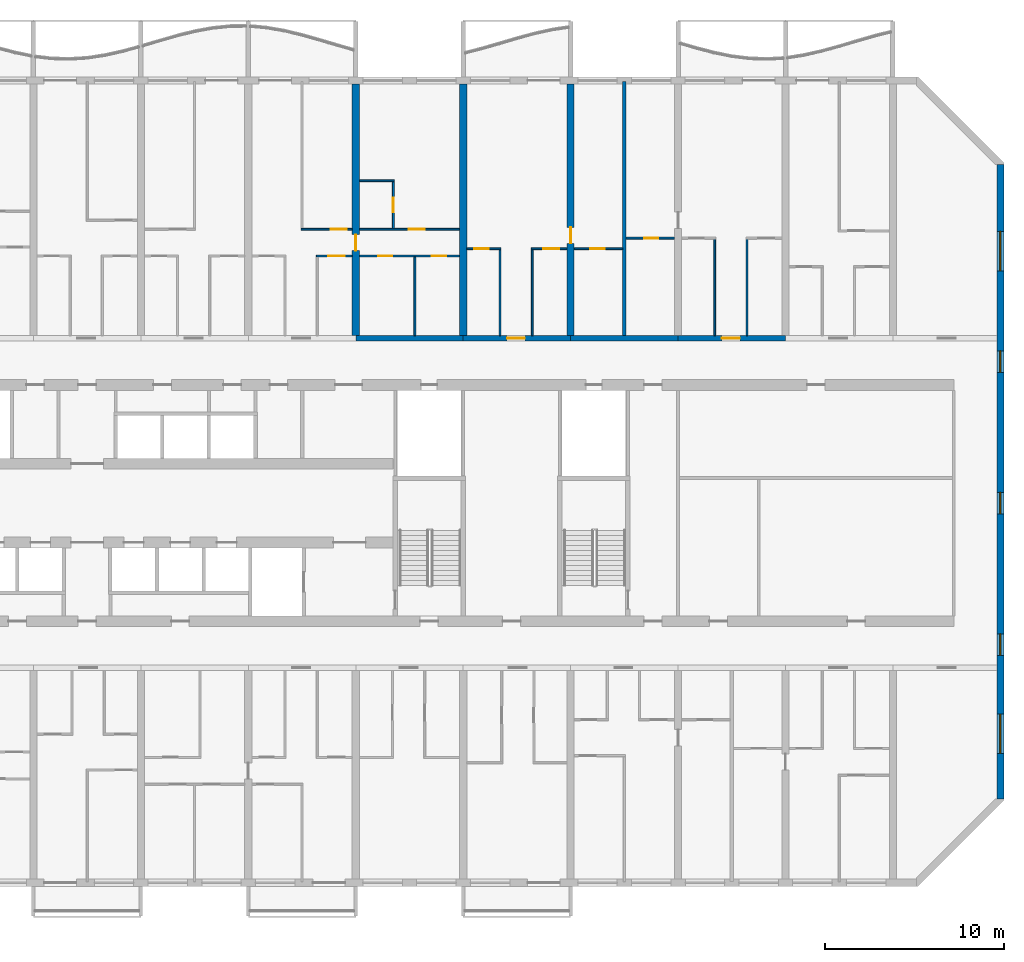
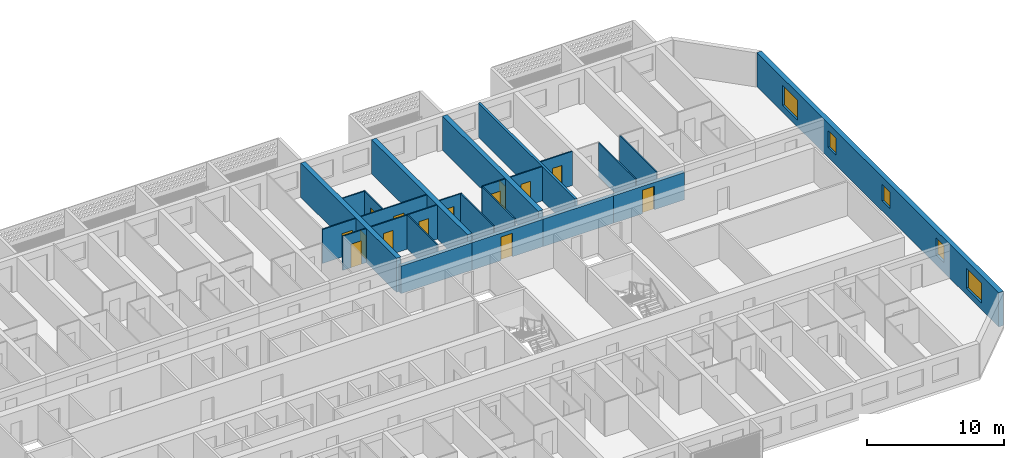
# One storey, part 18 of 44: 24 walls, 14 doors, 5 windows, 19 openings.
"""IFC4 building model written with IfcOpenShell, lengths in metres."""

import ifcopenshell
import ifcopenshell.guid

model = None  # the IFC model being written
_history = None  # IfcOwnerHistory: only IFC2X3 demands one
_inside = {}  # id of a spatial element -> (the spatial element, [elements in it])
_under = {}  # id of a project, library or spatial element -> (it, [spatial elements below it])
_declared = {}  # id of a project -> (the project, [libraries it declares])
_typed = {}  # id of a type object -> (the type object, [elements of that type])
_made_of = {}  # id of a material, layer set ... -> (it, [elements and type objects made of it])


def new_model(schema):
    """Start an empty IFC model of exactly this schema.

    Asked for "IFC4X3", IfcOpenShell would pick the latest addendum, in which some entities
    have other attributes; the version numbers below select the first issue.
    IFC2X3 requires an IfcOwnerHistory on every rooted entity: one is made here for all.
    """
    global model, _history
    if schema == "IFC4X3":
        model = ifcopenshell.file(schema_version=(4, 3, 0, 0))
    else:
        model = ifcopenshell.file(schema=schema)
    _inside.clear()
    _under.clear()
    _declared.clear()
    _typed.clear()
    _made_of.clear()
    _history = None
    if model.schema == "IFC2X3":
        org = make("IfcOrganization", Name="unknown")
        user = make(
            "IfcPersonAndOrganization",
            ThePerson=make("IfcPerson", FamilyName="unknown"),
            TheOrganization=org,
        )
        app = make(
            "IfcApplication",
            ApplicationDeveloper=org,
            Version="unknown",
            ApplicationFullName="unknown",
            ApplicationIdentifier="unknown",
        )
        _history = make(
            "IfcOwnerHistory",
            OwningUser=user,
            OwningApplication=app,
            ChangeAction="ADDED",
            CreationDate=0,
        )
    return model


def make(cls, **values):
    """One entity of the class cls with the attributes given. An attribute that is None is left unset."""
    return model.create_entity(
        cls, **{name: value for name, value in values.items() if value is not None}
    )


def rooted(cls, **values):
    """An entity with a GlobalId (a new one), such as an element, a storey or a relation."""
    return make(cls, GlobalId=ifcopenshell.guid.new(), OwnerHistory=_history, **values)


def si_unit(unit_type, name, prefix=None):
    """IfcSIUnit, for example si_unit("LENGTHUNIT", "METRE", prefix="MILLI")."""
    return make("IfcSIUnit", UnitType=unit_type, Prefix=prefix, Name=name)


def assignment(units):
    """IfcUnitAssignment: the units of a project."""
    return None if units is None else make("IfcUnitAssignment", Units=units)


def point(xyz):
    """IfcCartesianPoint."""
    return None if xyz is None else make("IfcCartesianPoint", Coordinates=xyz)


def direction(xyz):
    """IfcDirection."""
    return None if xyz is None else make("IfcDirection", DirectionRatios=xyz)


def frame(location, z_axis=None, x_axis=None):
    """IfcAxis2Placement3D, a coordinate frame: its origin and axes. An axis left out is left unset."""
    return make(
        "IfcAxis2Placement3D",
        Location=point(location),
        Axis=direction(z_axis),
        RefDirection=direction(x_axis),
    )


def frame_2d(location, x_axis=None):
    """IfcAxis2Placement2D, a coordinate frame in the plane: its origin and x axis."""
    return make(
        "IfcAxis2Placement2D", Location=point(location), RefDirection=direction(x_axis)
    )


def origin():
    """The frame at (0, 0, 0) with its axes left unset."""
    return frame((0.0, 0.0, 0.0))


def place(relative_to, where):
    """IfcLocalPlacement: puts the frame where relative to a parent placement (None: the world)."""
    return make(
        "IfcLocalPlacement", PlacementRelTo=relative_to, RelativePlacement=where
    )


def context(
    kind, dimensions, precision=None, world=None, true_north=None, identifier=None
):
    """IfcGeometricRepresentationContext, for example the 3D "Model" context."""
    return make(
        "IfcGeometricRepresentationContext",
        ContextIdentifier=identifier,
        ContextType=kind,
        CoordinateSpaceDimension=dimensions,
        Precision=precision,
        WorldCoordinateSystem=world,
        TrueNorth=true_north,
    )


def subcontext(parent, identifier, kind, view, scale=None):
    """IfcGeometricRepresentationSubContext, for example "Body" below "Model"."""
    return make(
        "IfcGeometricRepresentationSubContext",
        ContextIdentifier=identifier,
        ContextType=kind,
        ParentContext=parent,
        TargetScale=scale,
        TargetView=view,
    )


def project(units=None, contexts=None):
    """IfcProject with its units and contexts."""
    return rooted(
        "IfcProject",
        Name="project",
        RepresentationContexts=contexts,
        UnitsInContext=assignment(units),
    )


def spatial(cls, under=None, at=None, **own):
    """A site, building, storey or space (cls), placed at a placement, below another one or the project."""
    s = rooted(cls, ObjectPlacement=at, **own)
    if under is not None:
        _under.setdefault(under.id(), (under, []))[1].append(s)
    return s


def profile(cls, at=None, kind="AREA", **sizes):
    """A parametric profile (cls). Its sizes go by their IFC names, for example OverallWidth=200.0."""
    return make(cls, ProfileType=kind, Position=at, **sizes)


def rectangle(**sizes):
    """IfcRectangleProfileDef."""
    return profile("IfcRectangleProfileDef", **sizes)


def extrude(swept, where, along, depth):
    """IfcExtrudedAreaSolid: the profile swept, set in the frame where, extruded along a direction by depth."""
    return make(
        "IfcExtrudedAreaSolid",
        SweptArea=swept,
        Position=where,
        ExtrudedDirection=direction(along),
        Depth=depth,
    )


def shape(context_of_items, identifier, shape_type, items):
    """IfcShapeRepresentation: the items that make up one representation, for example the "Body"."""
    return make(
        "IfcShapeRepresentation",
        ContextOfItems=context_of_items,
        RepresentationIdentifier=identifier,
        RepresentationType=shape_type,
        Items=items,
    )


def material(Name=None, Category=None):
    """IfcMaterial."""
    return make("IfcMaterial", Name=Name, Category=Category)


def layer(
    of_material, thickness, ventilated=None, Name=None, Category=None, Priority=None
):
    """IfcMaterialLayer: one layer of a wall or slab, of a material (None: an air gap)."""
    return make(
        "IfcMaterialLayer",
        Material=of_material,
        LayerThickness=thickness,
        IsVentilated=ventilated,
        Name=Name,
        Category=Category,
        Priority=Priority,
    )


def layer_set(layers, Name=None):
    """IfcMaterialLayerSet."""
    return make("IfcMaterialLayerSet", MaterialLayers=layers, LayerSetName=Name)


def made_of(thing, what):
    """Note that an element or type object is made of a material, layer set ...; save() writes the relation."""
    if what is not None:
        _made_of.setdefault(what.id(), (what, []))[1].append(thing)
    return thing


def type_object(cls, material=None, **own):
    """A type object (cls), such as IfcWallType, which elements share."""
    return made_of(rooted(cls, **own), material)


def element(
    cls,
    number,
    at=None,
    inside=None,
    cuts=None,
    type_object=None,
    material=None,
    context=None,
    identifier="Body",
    shape_type=None,
    held_by="IfcProductDefinitionShape",
    body=None,
    shapes=None,
    **own,
):
    """One element of the class cls, such as IfcWall. Its Tag is "e" and its number.

    at: its placement. inside: the storey or other place that contains it. cuts: it is an
    opening in that element (IfcRelVoidsElement). A single representation is given by context,
    identifier, shape_type and body (its items); several are given by shapes. held_by: the class
    of the entity that holds the representations. save() writes the other relations.
    """
    e = rooted(cls, Tag="e%d" % number, ObjectPlacement=at, **own)
    if body is not None:
        shapes = [shape(context, identifier, shape_type, body)]
    if shapes is not None:
        e.Representation = make(held_by, Representations=shapes)
    if inside is not None:
        _inside.setdefault(inside.id(), (inside, []))[1].append(e)
    if cuts is not None:
        rooted(
            "IfcRelVoidsElement", RelatingBuildingElement=cuts, RelatedOpeningElement=e
        )
    if type_object is not None:
        _typed.setdefault(type_object.id(), (type_object, []))[1].append(e)
    return made_of(e, material)


def fill(opening, filler):
    """IfcRelFillsElement: the door or window that sits in an opening."""
    return rooted(
        "IfcRelFillsElement",
        RelatingOpeningElement=opening,
        RelatedBuildingElement=filler,
    )


def aggregate(whole, parts):
    """IfcRelAggregates: a whole, such as a stair, and the parts it consists of."""
    return rooted("IfcRelAggregates", RelatingObject=whole, RelatedObjects=parts)


def save(model, path):
    """Write the relations noted so far, then the file.

    IfcRelAggregates (storeys below a building ...), IfcRelContainedInSpatialStructure (elements
    in a storey), IfcRelDefinesByType, IfcRelAssociatesMaterial and IfcRelDeclares: one each for
    every whole, place, type object, material and project.
    """
    for whole, parts in _under.values():
        aggregate(whole, parts)
    for where, things in _inside.values():
        rooted(
            "IfcRelContainedInSpatialStructure",
            RelatedElements=things,
            RelatingStructure=where,
        )
    for kind, things in _typed.values():
        rooted("IfcRelDefinesByType", RelatedObjects=things, RelatingType=kind)
    for what, things in _made_of.values():
        rooted("IfcRelAssociatesMaterial", RelatedObjects=things, RelatingMaterial=what)
    for by, libraries in _declared.values():
        rooted("IfcRelDeclares", RelatingContext=by, RelatedDefinitions=libraries)
    model.write(path)


model = new_model("IFC4")

# Units and contexts
model_context = context("Model", 3, precision=1e-05, world=origin(), true_north=direction((0.0, 1.0)))
body_context = subcontext(model_context, "Body", "Model", "MODEL_VIEW")
ifc_project = project(units=[si_unit("LENGTHUNIT", "METRE"), si_unit("AREAUNIT", "SQUARE_METRE"), si_unit("VOLUMEUNIT", "CUBIC_METRE"), si_unit("PLANEANGLEUNIT", "RADIAN"), si_unit("MASSUNIT", "GRAM", prefix="KILO")], contexts=[model_context])

# Site, building, storey
site_placement = place(None, origin())
site = spatial("IfcSite", under=ifc_project, at=site_placement, CompositionType="ELEMENT")
building_placement = place(site_placement, origin())
building = spatial("IfcBuilding", under=site, at=building_placement, Name="Poui Terraces", CompositionType="ELEMENT")
storey_placement = place(building_placement, frame((0.0, 0.0, 26.699951171875)))
storey = spatial("IfcBuildingStorey", under=building, at=storey_placement, Name="L06", CompositionType="ELEMENT", Elevation=26.699951171875)

# Wall
ifc_material_1 = material(Name="Concrete 80 MPa", Category="concrete")
ifc_layer_1 = layer(ifc_material_1, 0.300048828125)
ifc_layer_set_1 = layer_set([ifc_layer_1], Name="Concrete 80 MPa")
wall_type_1 = type_object("IfcWallType", Name="CORRIDOR WALL 300 80MPa", PredefinedType="SHEAR", material=ifc_layer_set_1)
wall_1_placement = place(storey_placement, frame((66.0, 30.39990234375, 0.0), z_axis=(0.0, 0.0, 1.0), x_axis=(1.0, 0.0, 0.0)))
element("IfcWall", 1, at=wall_1_placement, inside=storey, type_object=wall_type_1, Name="CORRIDOR WALL LINE E BAY 12", PredefinedType="SHEAR", context=body_context, shape_type="SweptSolid", body=[
    extrude(rectangle(XDim=6.0, YDim=0.300048828125, at=frame_2d((3.0, 0.0))), origin(), (0.0, 0.0, 1.0), 2.449951171875),
])

# Wall, opening, door
wall_2_placement = place(storey_placement, frame((72.0, 30.39990234375, 0.0), z_axis=(0.0, 0.0, 1.0), x_axis=(1.0, 0.0, 0.0)))
wall_2 = element("IfcWall", 2, at=wall_2_placement, inside=storey, type_object=wall_type_1, Name="CORRIDOR WALL LINE E BAY 13", PredefinedType="SHEAR", context=body_context, shape_type="SweptSolid", body=[
    extrude(rectangle(XDim=6.0, YDim=0.300048828125, at=frame_2d((3.0, 0.0))), origin(), (0.0, 0.0, 1.0), 2.449951171875),
])
opening_1_placement = place(wall_2_placement, frame((2.449951171875, 0.0, 0.0)))
opening_1 = element("IfcOpeningElement", 3, at=opening_1_placement, cuts=wall_2, Name="Opening FD30S", PredefinedType="OPENING", context=body_context, shape_type="SweptSolid", body=[
    extrude(rectangle(XDim=1.0, YDim=2.10009765625, at=frame_2d((0.5, 1.050048828125))), frame((0.0, 0.16015625, 0.0), z_axis=(0.0, -1.0, 0.0), x_axis=(1.0, 0.0, 0.0)), (0.0, 0.0, 1.0), 0.320068359375),
])
ifc_material_2 = material(Name="Steel fire door", Category="steel")
door_type_1 = type_object("IfcDoorType", Name="FLAT ENTRANCE DOOR 1000 X 2100", OperationType="NOTDEFINED", PredefinedType="DOOR", material=ifc_material_2)
door_1_placement = place(opening_1_placement, origin())
door_1 = element("IfcDoor", 4, at=door_1_placement, inside=storey, type_object=door_type_1, Name="FLAT ENTRANCE DOOR 078", OperationType="SINGLE_SWING_LEFT", OverallHeight=2.10009765625, OverallWidth=1.0, PredefinedType="DOOR", context=body_context, shape_type="SweptSolid", body=[
    extrude(rectangle(XDim=1.0, YDim=2.10009765625, at=frame_2d((0.5, 1.050048828125))), frame((0.0, 0.02490234375, 0.0), z_axis=(0.0, -1.0, 0.0), x_axis=(1.0, 0.0, 0.0)), (0.0, 0.0, 1.0), 0.050048828125),
])
fill(opening_1, door_1)

# Wall
wall_3_placement = place(storey_placement, frame((78.0, 30.39990234375, 0.0), z_axis=(0.0, 0.0, 1.0), x_axis=(1.0, 0.0, 0.0)))
element("IfcWall", 5, at=wall_3_placement, inside=storey, type_object=wall_type_1, Name="CORRIDOR WALL LINE E BAY 14", PredefinedType="SHEAR", context=body_context, shape_type="SweptSolid", body=[
    extrude(rectangle(XDim=6.0, YDim=0.300048828125, at=frame_2d((3.0, 0.0))), origin(), (0.0, 0.0, 1.0), 2.449951171875),
])

# Wall, opening, door
wall_4_placement = place(storey_placement, frame((84.0, 30.39990234375, 0.0), z_axis=(0.0, 0.0, 1.0), x_axis=(1.0, 0.0, 0.0)))
wall_4 = element("IfcWall", 6, at=wall_4_placement, inside=storey, type_object=wall_type_1, Name="CORRIDOR WALL LINE E BAY 15", PredefinedType="SHEAR", context=body_context, shape_type="SweptSolid", body=[
    extrude(rectangle(XDim=6.0, YDim=0.300048828125, at=frame_2d((3.0, 0.0))), origin(), (0.0, 0.0, 1.0), 2.449951171875),
])
opening_2_placement = place(wall_4_placement, frame((2.449951171875, 0.0, 0.0)))
opening_2 = element("IfcOpeningElement", 7, at=opening_2_placement, cuts=wall_4, Name="Opening FD30S", PredefinedType="OPENING", context=body_context, shape_type="SweptSolid", body=[
    extrude(rectangle(XDim=1.0, YDim=2.10009765625, at=frame_2d((0.5, 1.050048828125))), frame((0.0, 0.16015625, 0.0), z_axis=(0.0, -1.0, 0.0), x_axis=(1.0, 0.0, 0.0)), (0.0, 0.0, 1.0), 0.320068359375),
])
door_2_placement = place(opening_2_placement, origin())
door_2 = element("IfcDoor", 8, at=door_2_placement, inside=storey, type_object=door_type_1, Name="FLAT ENTRANCE DOOR 084", OperationType="SINGLE_SWING_LEFT", OverallHeight=2.10009765625, OverallWidth=1.0, PredefinedType="DOOR", context=body_context, shape_type="SweptSolid", body=[
    extrude(rectangle(XDim=1.0, YDim=2.10009765625, at=frame_2d((0.5, 1.050048828125))), frame((0.0, 0.02490234375, 0.0), z_axis=(0.0, -1.0, 0.0), x_axis=(1.0, 0.0, 0.0)), (0.0, 0.0, 1.0), 0.050048828125),
])
fill(opening_2, door_2)

ifc_layer_2 = layer(ifc_material_1, 0.39990234375)
ifc_layer_set_2 = layer_set([ifc_layer_2], Name="Concrete 80 MPa")
wall_type_2 = type_object("IfcWallType", Name="CROSS WALL 400 80MPa", PredefinedType="SHEAR", material=ifc_layer_set_2)
wall_5_placement = place(storey_placement, frame((66.0, 30.550048828125, 0.0), z_axis=(0.0, 0.0, 1.0), x_axis=(0.0, 1.0, 0.0)))
wall_5 = element("IfcWall", 9, at=wall_5_placement, inside=storey, type_object=wall_type_2, Name="CROSS WALL LINE 12 NORTH", PredefinedType="SHEAR", context=body_context, shape_type="SweptSolid", body=[
    extrude(rectangle(XDim=14.050048828125, YDim=0.39990234375, at=frame_2d((7.02490234375, 0.0))), origin(), (0.0, 0.0, 1.0), 3.050048828125),
])
opening_3_placement = place(wall_5_placement, frame((4.75, 0.0, 0.0)))
opening_3 = element("IfcOpeningElement", 10, at=opening_3_placement, cuts=wall_5, Name="Opening D90", PredefinedType="OPENING", context=body_context, shape_type="SweptSolid", body=[
    extrude(rectangle(XDim=0.89990234375, YDim=2.10009765625, at=frame_2d((0.449951171875, 1.050048828125))), frame((0.0, 0.2099609375, 0.0), z_axis=(0.0, -1.0, 0.0), x_axis=(1.0, 0.0, 0.0)), (0.0, 0.0, 1.0), 0.419921875),
])
ifc_material_3 = material(Name="Solid core timber door", Category="wood")
door_type_2 = type_object("IfcDoorType", Name="INTERNAL DOOR 900 X 2100", OperationType="NOTDEFINED", PredefinedType="DOOR", material=ifc_material_3)
door_3_placement = place(opening_3_placement, origin())
door_3 = element("IfcDoor", 11, at=door_3_placement, inside=storey, type_object=door_type_2, Name="INTERNAL DOOR 074", OperationType="SINGLE_SWING_LEFT", OverallHeight=2.10009765625, OverallWidth=0.89990234375, PredefinedType="DOOR", context=body_context, shape_type="SweptSolid", body=[
    extrude(rectangle(XDim=0.89990234375, YDim=2.10009765625, at=frame_2d((0.449951171875, 1.050048828125))), frame((0.0, 0.02490234375, 0.0), z_axis=(0.0, -1.0, 0.0), x_axis=(1.0, 0.0, 0.0)), (0.0, 0.0, 1.0), 0.050048828125),
])
fill(opening_3, door_3)

# Wall
wall_6_placement = place(storey_placement, frame((72.0, 30.550048828125, 0.0), z_axis=(0.0, 0.0, 1.0), x_axis=(0.0, 1.0, 0.0)))
element("IfcWall", 12, at=wall_6_placement, inside=storey, type_object=wall_type_2, Name="CROSS WALL LINE 13 NORTH", PredefinedType="SHEAR", context=body_context, shape_type="SweptSolid", body=[
    extrude(rectangle(XDim=14.050048828125, YDim=0.39990234375, at=frame_2d((7.02490234375, 0.0))), origin(), (0.0, 0.0, 1.0), 3.050048828125),
])

# Wall, opening, door
wall_7_placement = place(storey_placement, frame((78.0, 30.550048828125, 0.0), z_axis=(0.0, 0.0, 1.0), x_axis=(0.0, 1.0, 0.0)))
wall_7 = element("IfcWall", 13, at=wall_7_placement, inside=storey, type_object=wall_type_2, Name="CROSS WALL LINE 14 NORTH", PredefinedType="SHEAR", context=body_context, shape_type="SweptSolid", body=[
    extrude(rectangle(XDim=14.050048828125, YDim=0.39990234375, at=frame_2d((7.02490234375, 0.0))), origin(), (0.0, 0.0, 1.0), 3.050048828125),
])
opening_4_placement = place(wall_7_placement, frame((5.14990234375, 0.0, 0.0)))
opening_4 = element("IfcOpeningElement", 14, at=opening_4_placement, cuts=wall_7, Name="Opening D90", PredefinedType="OPENING", context=body_context, shape_type="SweptSolid", body=[
    extrude(rectangle(XDim=0.89990234375, YDim=2.10009765625, at=frame_2d((0.449951171875, 1.050048828125))), frame((0.0, 0.2099609375, 0.0), z_axis=(0.0, -1.0, 0.0), x_axis=(1.0, 0.0, 0.0)), (0.0, 0.0, 1.0), 0.419921875),
])
door_4_placement = place(opening_4_placement, frame((0.89990234375, 0.0, 0.0), z_axis=(0.0, 0.0, 1.0), x_axis=(-1.0, 0.0, 0.0)))
door_4 = element("IfcDoor", 15, at=door_4_placement, inside=storey, type_object=door_type_2, Name="INTERNAL DOOR 080", OperationType="SINGLE_SWING_RIGHT", OverallHeight=2.10009765625, OverallWidth=0.89990234375, PredefinedType="DOOR", context=body_context, shape_type="SweptSolid", body=[
    extrude(rectangle(XDim=0.89990234375, YDim=2.10009765625, at=frame_2d((0.449951171875, 1.050048828125))), frame((0.0, 0.02490234375, 0.0), z_axis=(0.0, -1.0, 0.0), x_axis=(1.0, 0.0, 0.0)), (0.0, 0.0, 1.0), 0.050048828125),
])
fill(opening_4, door_4)

# Wall, openings, windows
ifc_layer_3 = layer(ifc_material_1, 0.39990234375)
ifc_layer_set_3 = layer_set([ifc_layer_3], Name="Concrete 80 MPa")
wall_type_3 = type_object("IfcWallType", Name="END WALL 400 80MPa", PredefinedType="SHEAR", material=ifc_layer_set_3)
wall_8_placement = place(storey_placement, frame((102.0, 4.682861328125, 0.0), z_axis=(0.0, 0.0, 1.0), x_axis=(0.0, 1.0, 0.0)))
wall_8 = element("IfcWall", 16, at=wall_8_placement, inside=storey, type_object=wall_type_3, Name="END WALL EAST", PredefinedType="SHEAR", context=body_context, shape_type="SweptSolid", body=[
    extrude(rectangle(XDim=35.434326171875, YDim=0.39990234375, at=frame_2d((17.71728515625, 0.0))), origin(), (0.0, 0.0, 1.0), 3.050048828125),
])
opening_5_placement = place(wall_8_placement, frame((15.917236328125, 0.0, 0.89990234375)))
opening_5 = element("IfcOpeningElement", 17, at=opening_5_placement, cuts=wall_8, Name="Opening W2", PredefinedType="OPENING", context=body_context, shape_type="SweptSolid", body=[
    extrude(rectangle(XDim=1.199951171875, YDim=1.5, at=frame_2d((0.60009765625, 0.75))), frame((0.0, 0.2099609375, 0.0), z_axis=(0.0, -1.0, 0.0), x_axis=(1.0, 0.0, 0.0)), (0.0, 0.0, 1.0), 0.419921875),
])
opening_6_placement = place(wall_8_placement, frame((23.817138671875, 0.0, 0.89990234375)))
opening_6 = element("IfcOpeningElement", 18, at=opening_6_placement, cuts=wall_8, Name="Opening W2", PredefinedType="OPENING", context=body_context, shape_type="SweptSolid", body=[
    extrude(rectangle(XDim=1.199951171875, YDim=1.5, at=frame_2d((0.60009765625, 0.75))), frame((0.0, 0.2099609375, 0.0), z_axis=(0.0, -1.0, 0.0), x_axis=(1.0, 0.0, 0.0)), (0.0, 0.0, 1.0), 0.419921875),
])
opening_7_placement = place(wall_8_placement, frame((8.01708984375, 0.0, 0.89990234375)))
opening_7 = element("IfcOpeningElement", 19, at=opening_7_placement, cuts=wall_8, Name="Opening W2", PredefinedType="OPENING", context=body_context, shape_type="SweptSolid", body=[
    extrude(rectangle(XDim=1.199951171875, YDim=1.5, at=frame_2d((0.60009765625, 0.75))), frame((0.0, 0.2099609375, 0.0), z_axis=(0.0, -1.0, 0.0), x_axis=(1.0, 0.0, 0.0)), (0.0, 0.0, 1.0), 0.419921875),
])
opening_8_placement = place(wall_8_placement, frame((29.493408203125, 0.0, 0.60009765625)))
opening_8 = element("IfcOpeningElement", 20, at=opening_8_placement, cuts=wall_8, Name="Opening W3", PredefinedType="OPENING", context=body_context, shape_type="SweptSolid", body=[
    extrude(rectangle(XDim=2.199951171875, YDim=1.800048828125, at=frame_2d((1.10009765625, 0.89990234375))), frame((0.0, 0.2099609375, 0.0), z_axis=(0.0, -1.0, 0.0), x_axis=(1.0, 0.0, 0.0)), (0.0, 0.0, 1.0), 0.419921875),
])
opening_9_placement = place(wall_8_placement, frame((2.541015625, 0.0, 0.60009765625)))
opening_9 = element("IfcOpeningElement", 21, at=opening_9_placement, cuts=wall_8, Name="Opening W3", PredefinedType="OPENING", context=body_context, shape_type="SweptSolid", body=[
    extrude(rectangle(XDim=2.199951171875, YDim=1.800048828125, at=frame_2d((1.10009765625, 0.89990234375))), frame((0.0, 0.2099609375, 0.0), z_axis=(0.0, -1.0, 0.0), x_axis=(1.0, 0.0, 0.0)), (0.0, 0.0, 1.0), 0.419921875),
])
ifc_material_4 = material(Name="Clear glass in aluminium frame", Category="aluminium")
window_type_1 = type_object("IfcWindowType", Name="WINDOW 1200X1500", PartitioningType="SINGLE_PANEL", PredefinedType="WINDOW", material=ifc_material_4)
window_1_placement = place(opening_5_placement, origin())
window_1 = element("IfcWindow", 22, at=window_1_placement, inside=storey, type_object=window_type_1, Name="W2 WINDOW", OverallHeight=1.5, OverallWidth=1.199951171875, PartitioningType="SINGLE_PANEL", PredefinedType="WINDOW", context=body_context, shape_type="SweptSolid", body=[
    extrude(rectangle(XDim=1.199951171875, YDim=1.5, at=frame_2d((0.60009765625, 0.75))), frame((0.0, 0.030029296875, 0.0), z_axis=(0.0, -1.0, 0.0), x_axis=(1.0, 0.0, 0.0)), (0.0, 0.0, 1.0), 0.06005859375),
])
fill(opening_5, window_1)
window_2_placement = place(opening_6_placement, origin())
window_2 = element("IfcWindow", 23, at=window_2_placement, inside=storey, type_object=window_type_1, Name="W2 WINDOW", OverallHeight=1.5, OverallWidth=1.199951171875, PartitioningType="SINGLE_PANEL", PredefinedType="WINDOW", context=body_context, shape_type="SweptSolid", body=[
    extrude(rectangle(XDim=1.199951171875, YDim=1.5, at=frame_2d((0.60009765625, 0.75))), frame((0.0, 0.030029296875, 0.0), z_axis=(0.0, -1.0, 0.0), x_axis=(1.0, 0.0, 0.0)), (0.0, 0.0, 1.0), 0.06005859375),
])
fill(opening_6, window_2)
window_3_placement = place(opening_7_placement, origin())
window_3 = element("IfcWindow", 24, at=window_3_placement, inside=storey, type_object=window_type_1, Name="W2 WINDOW", OverallHeight=1.5, OverallWidth=1.199951171875, PartitioningType="SINGLE_PANEL", PredefinedType="WINDOW", context=body_context, shape_type="SweptSolid", body=[
    extrude(rectangle(XDim=1.199951171875, YDim=1.5, at=frame_2d((0.60009765625, 0.75))), frame((0.0, 0.030029296875, 0.0), z_axis=(0.0, -1.0, 0.0), x_axis=(1.0, 0.0, 0.0)), (0.0, 0.0, 1.0), 0.06005859375),
])
fill(opening_7, window_3)
window_type_2 = type_object("IfcWindowType", Name="WINDOW 2200X1800", PartitioningType="DOUBLE_PANEL_HORIZONTAL", PredefinedType="WINDOW", material=ifc_material_4)
window_4_placement = place(opening_8_placement, origin())
window_4 = element("IfcWindow", 25, at=window_4_placement, inside=storey, type_object=window_type_2, Name="W3 WINDOW", OverallHeight=1.800048828125, OverallWidth=2.199951171875, PartitioningType="DOUBLE_PANEL_HORIZONTAL", PredefinedType="WINDOW", context=body_context, shape_type="SweptSolid", body=[
    extrude(rectangle(XDim=2.199951171875, YDim=1.800048828125, at=frame_2d((1.10009765625, 0.89990234375))), frame((0.0, 0.030029296875, 0.0), z_axis=(0.0, -1.0, 0.0), x_axis=(1.0, 0.0, 0.0)), (0.0, 0.0, 1.0), 0.06005859375),
])
fill(opening_8, window_4)
window_5_placement = place(opening_9_placement, origin())
window_5 = element("IfcWindow", 26, at=window_5_placement, inside=storey, type_object=window_type_2, Name="W3 WINDOW", OverallHeight=1.800048828125, OverallWidth=2.199951171875, PartitioningType="DOUBLE_PANEL_HORIZONTAL", PredefinedType="WINDOW", context=body_context, shape_type="SweptSolid", body=[
    extrude(rectangle(XDim=2.199951171875, YDim=1.800048828125, at=frame_2d((1.10009765625, 0.89990234375))), frame((0.0, 0.030029296875, 0.0), z_axis=(0.0, -1.0, 0.0), x_axis=(1.0, 0.0, 0.0)), (0.0, 0.0, 1.0), 0.06005859375),
])
fill(opening_9, window_5)

# Wall, opening, door
ifc_material_5 = material(Name="Plasterboard partition")
ifc_layer_4 = layer(ifc_material_5, 0.10009765625)
ifc_layer_set_4 = layer_set([ifc_layer_4], Name="Plasterboard partition")
wall_type_4 = type_object("IfcWallType", Name="FLAT PARTITION 100", PredefinedType="PARTITIONING", material=ifc_layer_set_4)
wall_9_placement = place(storey_placement, frame((63.800048828125, 35.0, 0.0), z_axis=(0.0, 0.0, 1.0), x_axis=(1.0, 0.0, 0.0)))
wall_9 = element("IfcWall", 27, at=wall_9_placement, inside=storey, type_object=wall_type_4, Name="FLAT PARTITION 100", PredefinedType="PARTITIONING", context=body_context, shape_type="SweptSolid", body=[
    extrude(rectangle(XDim=1.989990234375, YDim=0.10009765625, at=frame_2d((0.9951171875, 0.0))), origin(), (0.0, 0.0, 1.0), 3.050048828125),
])
opening_10_placement = place(wall_9_placement, frame((0.675048828125, 0.0, 0.0)))
opening_10 = element("IfcOpeningElement", 28, at=opening_10_placement, cuts=wall_9, Name="Opening D90", PredefinedType="OPENING", context=body_context, shape_type="SweptSolid", body=[
    extrude(rectangle(XDim=0.89990234375, YDim=2.10009765625, at=frame_2d((0.449951171875, 1.050048828125))), frame((0.0, 0.06005859375, 0.0), z_axis=(0.0, -1.0, 0.0), x_axis=(1.0, 0.0, 0.0)), (0.0, 0.0, 1.0), 0.1201171875),
])
door_5_placement = place(opening_10_placement, frame((0.89990234375, 0.0, 0.0), z_axis=(0.0, 0.0, 1.0), x_axis=(-1.0, 0.0, 0.0)))
door_5 = element("IfcDoor", 29, at=door_5_placement, inside=storey, type_object=door_type_2, Name="INTERNAL DOOR 072", OperationType="SINGLE_SWING_LEFT", OverallHeight=2.10009765625, OverallWidth=0.89990234375, PredefinedType="DOOR", context=body_context, shape_type="SweptSolid", body=[
    extrude(rectangle(XDim=0.89990234375, YDim=2.10009765625, at=frame_2d((0.449951171875, 1.050048828125))), frame((0.0, 0.02490234375, 0.0), z_axis=(0.0, -1.0, 0.0), x_axis=(1.0, 0.0, 0.0)), (0.0, 0.0, 1.0), 0.050048828125),
])
fill(opening_10, door_5)

# Wall, openings, doors
wall_10_placement = place(storey_placement, frame((66.2099609375, 35.0, 0.0), z_axis=(0.0, 0.0, 1.0), x_axis=(1.0, 0.0, 0.0)))
wall_10 = element("IfcWall", 30, at=wall_10_placement, inside=storey, type_object=wall_type_4, Name="FLAT PARTITION 100", PredefinedType="PARTITIONING", context=body_context, shape_type="SweptSolid", body=[
    extrude(rectangle(XDim=5.580078125, YDim=0.10009765625, at=frame_2d((2.7900390625, 0.0))), origin(), (0.0, 0.0, 1.0), 3.050048828125),
])
opening_11_placement = place(wall_10_placement, frame((1.0400390625, 0.0, 0.0)))
opening_11 = element("IfcOpeningElement", 31, at=opening_11_placement, cuts=wall_10, Name="Opening D80", PredefinedType="OPENING", context=body_context, shape_type="SweptSolid", body=[
    extrude(rectangle(XDim=0.800048828125, YDim=2.10009765625, at=frame_2d((0.39990234375, 1.050048828125))), frame((0.0, 0.06005859375, 0.0), z_axis=(0.0, -1.0, 0.0), x_axis=(1.0, 0.0, 0.0)), (0.0, 0.0, 1.0), 0.1201171875),
])
opening_12_placement = place(wall_10_placement, frame((4.0400390625, 0.0, 0.0)))
opening_12 = element("IfcOpeningElement", 32, at=opening_12_placement, cuts=wall_10, Name="Opening D80", PredefinedType="OPENING", context=body_context, shape_type="SweptSolid", body=[
    extrude(rectangle(XDim=0.800048828125, YDim=2.10009765625, at=frame_2d((0.39990234375, 1.050048828125))), frame((0.0, 0.06005859375, 0.0), z_axis=(0.0, -1.0, 0.0), x_axis=(1.0, 0.0, 0.0)), (0.0, 0.0, 1.0), 0.1201171875),
])
door_type_3 = type_object("IfcDoorType", Name="BATHROOM, LAUNDRY AND STORE DOOR 800 X 2100", OperationType="NOTDEFINED", PredefinedType="DOOR", material=ifc_material_3)
door_6_placement = place(opening_11_placement, frame((0.800048828125, 0.0, 0.0), z_axis=(0.0, 0.0, 1.0), x_axis=(-1.0, 0.0, 0.0)))
door_6 = element("IfcDoor", 33, at=door_6_placement, inside=storey, type_object=door_type_3, Name="BATHROOM, LAUNDRY AND STORE DOOR 067", OperationType="SINGLE_SWING_RIGHT", OverallHeight=2.10009765625, OverallWidth=0.800048828125, PredefinedType="DOOR", context=body_context, shape_type="SweptSolid", body=[
    extrude(rectangle(XDim=0.800048828125, YDim=2.10009765625, at=frame_2d((0.39990234375, 1.050048828125))), frame((0.0, 0.02490234375, 0.0), z_axis=(0.0, -1.0, 0.0), x_axis=(1.0, 0.0, 0.0)), (0.0, 0.0, 1.0), 0.050048828125),
])
fill(opening_11, door_6)
door_7_placement = place(opening_12_placement, frame((0.800048828125, 0.0, 0.0), z_axis=(0.0, 0.0, 1.0), x_axis=(-1.0, 0.0, 0.0)))
door_7 = element("IfcDoor", 34, at=door_7_placement, inside=storey, type_object=door_type_3, Name="BATHROOM, LAUNDRY AND STORE DOOR 069", OperationType="SINGLE_SWING_LEFT", OverallHeight=2.10009765625, OverallWidth=0.800048828125, PredefinedType="DOOR", context=body_context, shape_type="SweptSolid", body=[
    extrude(rectangle(XDim=0.800048828125, YDim=2.10009765625, at=frame_2d((0.39990234375, 1.050048828125))), frame((0.0, 0.02490234375, 0.0), z_axis=(0.0, -1.0, 0.0), x_axis=(1.0, 0.0, 0.0)), (0.0, 0.0, 1.0), 0.050048828125),
])
fill(opening_12, door_7)

# Wall, opening, door
wall_11_placement = place(storey_placement, frame((72.2099609375, 35.39990234375, 0.0), z_axis=(0.0, 0.0, 1.0), x_axis=(1.0, 0.0, 0.0)))
wall_11 = element("IfcWall", 35, at=wall_11_placement, inside=storey, type_object=wall_type_4, Name="FLAT PARTITION 100", PredefinedType="PARTITIONING", context=body_context, shape_type="SweptSolid", body=[
    extrude(rectangle(XDim=1.89013671875, YDim=0.10009765625, at=frame_2d((0.945068359375, 0.0))), origin(), (0.0, 0.0, 1.0), 3.050048828125),
])
opening_13_placement = place(wall_11_placement, frame((0.4150390625, 0.0, 0.0)))
opening_13 = element("IfcOpeningElement", 36, at=opening_13_placement, cuts=wall_11, Name="Opening D80", PredefinedType="OPENING", context=body_context, shape_type="SweptSolid", body=[
    extrude(rectangle(XDim=0.800048828125, YDim=2.10009765625, at=frame_2d((0.39990234375, 1.050048828125))), frame((0.0, 0.06005859375, 0.0), z_axis=(0.0, -1.0, 0.0), x_axis=(1.0, 0.0, 0.0)), (0.0, 0.0, 1.0), 0.1201171875),
])
door_8_placement = place(opening_13_placement, frame((0.800048828125, 0.0, 0.0), z_axis=(0.0, 0.0, 1.0), x_axis=(-1.0, 0.0, 0.0)))
door_8 = element("IfcDoor", 37, at=door_8_placement, inside=storey, type_object=door_type_3, Name="BATHROOM, LAUNDRY AND STORE DOOR 077", OperationType="SINGLE_SWING_RIGHT", OverallHeight=2.10009765625, OverallWidth=0.800048828125, PredefinedType="DOOR", context=body_context, shape_type="SweptSolid", body=[
    extrude(rectangle(XDim=0.800048828125, YDim=2.10009765625, at=frame_2d((0.39990234375, 1.050048828125))), frame((0.0, 0.02490234375, 0.0), z_axis=(0.0, -1.0, 0.0), x_axis=(1.0, 0.0, 0.0)), (0.0, 0.0, 1.0), 0.050048828125),
])
fill(opening_13, door_8)

wall_12_placement = place(storey_placement, frame((75.800048828125, 35.39990234375, 0.0), z_axis=(0.0, 0.0, 1.0), x_axis=(1.0, 0.0, 0.0)))
wall_12 = element("IfcWall", 38, at=wall_12_placement, inside=storey, type_object=wall_type_4, Name="FLAT PARTITION 100", PredefinedType="PARTITIONING", context=body_context, shape_type="SweptSolid", body=[
    extrude(rectangle(XDim=1.989990234375, YDim=0.10009765625, at=frame_2d((0.9951171875, 0.0))), origin(), (0.0, 0.0, 1.0), 3.050048828125),
])
opening_14_placement = place(wall_12_placement, frame((0.675048828125, 0.0, 0.0)))
opening_14 = element("IfcOpeningElement", 39, at=opening_14_placement, cuts=wall_12, Name="Opening D90", PredefinedType="OPENING", context=body_context, shape_type="SweptSolid", body=[
    extrude(rectangle(XDim=0.89990234375, YDim=2.10009765625, at=frame_2d((0.449951171875, 1.050048828125))), frame((0.0, 0.06005859375, 0.0), z_axis=(0.0, -1.0, 0.0), x_axis=(1.0, 0.0, 0.0)), (0.0, 0.0, 1.0), 0.1201171875),
])
door_9_placement = place(opening_14_placement, frame((0.89990234375, 0.0, 0.0), z_axis=(0.0, 0.0, 1.0), x_axis=(-1.0, 0.0, 0.0)))
door_9 = element("IfcDoor", 40, at=door_9_placement, inside=storey, type_object=door_type_2, Name="INTERNAL DOOR 079", OperationType="SINGLE_SWING_LEFT", OverallHeight=2.10009765625, OverallWidth=0.89990234375, PredefinedType="DOOR", context=body_context, shape_type="SweptSolid", body=[
    extrude(rectangle(XDim=0.89990234375, YDim=2.10009765625, at=frame_2d((0.449951171875, 1.050048828125))), frame((0.0, 0.02490234375, 0.0), z_axis=(0.0, -1.0, 0.0), x_axis=(1.0, 0.0, 0.0)), (0.0, 0.0, 1.0), 0.050048828125),
])
fill(opening_14, door_9)

wall_13_placement = place(storey_placement, frame((78.2099609375, 35.39990234375, 0.0), z_axis=(0.0, 0.0, 1.0), x_axis=(1.0, 0.0, 0.0)))
wall_13 = element("IfcWall", 41, at=wall_13_placement, inside=storey, type_object=wall_type_4, Name="FLAT PARTITION 100", PredefinedType="PARTITIONING", context=body_context, shape_type="SweptSolid", body=[
    extrude(rectangle(XDim=2.68994140625, YDim=0.10009765625, at=frame_2d((1.344970703125, 0.0))), origin(), (0.0, 0.0, 1.0), 3.050048828125),
])
opening_15_placement = place(wall_13_placement, frame((0.889892578125, 0.0, 0.0)))
opening_15 = element("IfcOpeningElement", 42, at=opening_15_placement, cuts=wall_13, Name="Opening D80", PredefinedType="OPENING", context=body_context, shape_type="SweptSolid", body=[
    extrude(rectangle(XDim=0.800048828125, YDim=2.10009765625, at=frame_2d((0.39990234375, 1.050048828125))), frame((0.0, 0.06005859375, 0.0), z_axis=(0.0, -1.0, 0.0), x_axis=(1.0, 0.0, 0.0)), (0.0, 0.0, 1.0), 0.1201171875),
])
door_10_placement = place(opening_15_placement, frame((0.800048828125, 0.0, 0.0), z_axis=(0.0, 0.0, 1.0), x_axis=(-1.0, 0.0, 0.0)))
door_10 = element("IfcDoor", 43, at=door_10_placement, inside=storey, type_object=door_type_3, Name="BATHROOM, LAUNDRY AND STORE DOOR 076", OperationType="SINGLE_SWING_LEFT", OverallHeight=2.10009765625, OverallWidth=0.800048828125, PredefinedType="DOOR", context=body_context, shape_type="SweptSolid", body=[
    extrude(rectangle(XDim=0.800048828125, YDim=2.10009765625, at=frame_2d((0.39990234375, 1.050048828125))), frame((0.0, 0.02490234375, 0.0), z_axis=(0.0, -1.0, 0.0), x_axis=(1.0, 0.0, 0.0)), (0.0, 0.0, 1.0), 0.050048828125),
])
fill(opening_15, door_10)

wall_14_placement = place(storey_placement, frame((81.10009765625, 36.0, 0.0), z_axis=(0.0, 0.0, 1.0), x_axis=(1.0, 0.0, 0.0)))
wall_14 = element("IfcWall", 44, at=wall_14_placement, inside=storey, type_object=wall_type_4, Name="FLAT PARTITION 100", PredefinedType="PARTITIONING", context=body_context, shape_type="SweptSolid", body=[
    extrude(rectangle(XDim=2.68994140625, YDim=0.10009765625, at=frame_2d((1.344970703125, 0.0))), origin(), (0.0, 0.0, 1.0), 3.050048828125),
])
opening_16_placement = place(wall_14_placement, frame((1.0, 0.0, 0.0)))
opening_16 = element("IfcOpeningElement", 45, at=opening_16_placement, cuts=wall_14, Name="Opening D80", PredefinedType="OPENING", context=body_context, shape_type="SweptSolid", body=[
    extrude(rectangle(XDim=0.800048828125, YDim=2.10009765625, at=frame_2d((0.39990234375, 1.050048828125))), frame((0.0, 0.06005859375, 0.0), z_axis=(0.0, -1.0, 0.0), x_axis=(1.0, 0.0, 0.0)), (0.0, 0.0, 1.0), 0.1201171875),
])
door_11_placement = place(opening_16_placement, frame((0.800048828125, 0.0, 0.0), z_axis=(0.0, 0.0, 1.0), x_axis=(-1.0, 0.0, 0.0)))
door_11 = element("IfcDoor", 46, at=door_11_placement, inside=storey, type_object=door_type_3, Name="BATHROOM, LAUNDRY AND STORE DOOR 081", OperationType="SINGLE_SWING_RIGHT", OverallHeight=2.10009765625, OverallWidth=0.800048828125, PredefinedType="DOOR", context=body_context, shape_type="SweptSolid", body=[
    extrude(rectangle(XDim=0.800048828125, YDim=2.10009765625, at=frame_2d((0.39990234375, 1.050048828125))), frame((0.0, 0.02490234375, 0.0), z_axis=(0.0, -1.0, 0.0), x_axis=(1.0, 0.0, 0.0)), (0.0, 0.0, 1.0), 0.050048828125),
])
fill(opening_16, door_11)

wall_15_placement = place(storey_placement, frame((62.949951171875, 36.5, 0.0), z_axis=(0.0, 0.0, 1.0), x_axis=(1.0, 0.0, 0.0)))
wall_15 = element("IfcWall", 47, at=wall_15_placement, inside=storey, type_object=wall_type_4, Name="FLAT PARTITION 100", PredefinedType="PARTITIONING", context=body_context, shape_type="SweptSolid", body=[
    extrude(rectangle(XDim=2.840087890625, YDim=0.10009765625, at=frame_2d((1.419921875, 0.0))), origin(), (0.0, 0.0, 1.0), 3.050048828125),
])
opening_17_placement = place(wall_15_placement, frame((1.64990234375, 0.0, 0.0)))
opening_17 = element("IfcOpeningElement", 48, at=opening_17_placement, cuts=wall_15, Name="Opening D90", PredefinedType="OPENING", context=body_context, shape_type="SweptSolid", body=[
    extrude(rectangle(XDim=0.89990234375, YDim=2.10009765625, at=frame_2d((0.449951171875, 1.050048828125))), frame((0.0, 0.06005859375, 0.0), z_axis=(0.0, -1.0, 0.0), x_axis=(1.0, 0.0, 0.0)), (0.0, 0.0, 1.0), 0.1201171875),
])
door_12_placement = place(opening_17_placement, frame((0.89990234375, 0.0, 0.0), z_axis=(0.0, 0.0, 1.0), x_axis=(-1.0, 0.0, 0.0)))
door_12 = element("IfcDoor", 49, at=door_12_placement, inside=storey, type_object=door_type_2, Name="INTERNAL DOOR 073", OperationType="SINGLE_SWING_RIGHT", OverallHeight=2.10009765625, OverallWidth=0.89990234375, PredefinedType="DOOR", context=body_context, shape_type="SweptSolid", body=[
    extrude(rectangle(XDim=0.89990234375, YDim=2.10009765625, at=frame_2d((0.449951171875, 1.050048828125))), frame((0.0, 0.02490234375, 0.0), z_axis=(0.0, -1.0, 0.0), x_axis=(1.0, 0.0, 0.0)), (0.0, 0.0, 1.0), 0.050048828125),
])
fill(opening_17, door_12)

wall_16_placement = place(storey_placement, frame((66.2099609375, 36.5, 0.0), z_axis=(0.0, 0.0, 1.0), x_axis=(1.0, 0.0, 0.0)))
wall_16 = element("IfcWall", 50, at=wall_16_placement, inside=storey, type_object=wall_type_4, Name="FLAT PARTITION 100", PredefinedType="PARTITIONING", context=body_context, shape_type="SweptSolid", body=[
    extrude(rectangle(XDim=5.580078125, YDim=0.10009765625, at=frame_2d((2.7900390625, 0.0))), origin(), (0.0, 0.0, 1.0), 3.050048828125),
])
opening_18_placement = place(wall_16_placement, frame((2.739990234375, 0.0, 0.0)))
opening_18 = element("IfcOpeningElement", 51, at=opening_18_placement, cuts=wall_16, Name="Opening D90", PredefinedType="OPENING", context=body_context, shape_type="SweptSolid", body=[
    extrude(rectangle(XDim=0.89990234375, YDim=2.10009765625, at=frame_2d((0.449951171875, 1.050048828125))), frame((0.0, 0.06005859375, 0.0), z_axis=(0.0, -1.0, 0.0), x_axis=(1.0, 0.0, 0.0)), (0.0, 0.0, 1.0), 0.1201171875),
])
door_13_placement = place(opening_18_placement, origin())
door_13 = element("IfcDoor", 52, at=door_13_placement, inside=storey, type_object=door_type_2, Name="INTERNAL DOOR 068", OperationType="SINGLE_SWING_RIGHT", OverallHeight=2.10009765625, OverallWidth=0.89990234375, PredefinedType="DOOR", context=body_context, shape_type="SweptSolid", body=[
    extrude(rectangle(XDim=0.89990234375, YDim=2.10009765625, at=frame_2d((0.449951171875, 1.050048828125))), frame((0.0, 0.02490234375, 0.0), z_axis=(0.0, -1.0, 0.0), x_axis=(1.0, 0.0, 0.0)), (0.0, 0.0, 1.0), 0.050048828125),
])
fill(opening_18, door_13)

# Wall
wall_17_placement = place(storey_placement, frame((66.2099609375, 39.199951171875, 0.0), z_axis=(0.0, 0.0, 1.0), x_axis=(1.0, 0.0, 0.0)))
element("IfcWall", 53, at=wall_17_placement, inside=storey, type_object=wall_type_4, Name="FLAT PARTITION 100", PredefinedType="PARTITIONING", context=body_context, shape_type="SweptSolid", body=[
    extrude(rectangle(XDim=1.93994140625, YDim=0.10009765625, at=frame_2d((0.969970703125, 0.0))), origin(), (0.0, 0.0, 1.0), 3.050048828125),
])

# Wall, opening, door
wall_18_placement = place(storey_placement, frame((68.10009765625, 36.550048828125, 0.0), z_axis=(0.0, 0.0, 1.0), x_axis=(0.0, 1.0, 0.0)))
wall_18 = element("IfcWall", 54, at=wall_18_placement, inside=storey, type_object=wall_type_4, Name="FLAT PARTITION 100", PredefinedType="PARTITIONING", context=body_context, shape_type="SweptSolid", body=[
    extrude(rectangle(XDim=2.599853515625, YDim=0.10009765625, at=frame_2d((1.2998046875, 0.0))), origin(), (0.0, 0.0, 1.0), 3.050048828125),
])
opening_19_placement = place(wall_18_placement, frame((0.89990234375, 0.0, 0.0)))
opening_19 = element("IfcOpeningElement", 55, at=opening_19_placement, cuts=wall_18, Name="Opening D80", PredefinedType="OPENING", context=body_context, shape_type="SweptSolid", body=[
    extrude(rectangle(XDim=0.800048828125, YDim=2.10009765625, at=frame_2d((0.39990234375, 1.050048828125))), frame((0.0, 0.06005859375, 0.0), z_axis=(0.0, -1.0, 0.0), x_axis=(1.0, 0.0, 0.0)), (0.0, 0.0, 1.0), 0.1201171875),
])
door_14_placement = place(opening_19_placement, origin())
door_14 = element("IfcDoor", 56, at=door_14_placement, inside=storey, type_object=door_type_3, Name="BATHROOM, LAUNDRY AND STORE DOOR 075", OperationType="SINGLE_SWING_LEFT", OverallHeight=2.10009765625, OverallWidth=0.800048828125, PredefinedType="DOOR", context=body_context, shape_type="SweptSolid", body=[
    extrude(rectangle(XDim=0.800048828125, YDim=2.10009765625, at=frame_2d((0.39990234375, 1.050048828125))), frame((0.0, 0.02490234375, 0.0), z_axis=(0.0, -1.0, 0.0), x_axis=(1.0, 0.0, 0.0)), (0.0, 0.0, 1.0), 0.050048828125),
])
fill(opening_19, door_14)

# Walls
wall_19_placement = place(storey_placement, frame((69.300048828125, 30.56005859375, 0.0), z_axis=(0.0, 0.0, 1.0), x_axis=(0.0, 1.0, 0.0)))
element("IfcWall", 57, at=wall_19_placement, inside=storey, type_object=wall_type_4, Name="FLAT PARTITION 100", PredefinedType="PARTITIONING", context=body_context, shape_type="SweptSolid", body=[
    extrude(rectangle(XDim=4.389892578125, YDim=0.10009765625, at=frame_2d((2.19482421875, 0.0))), origin(), (0.0, 0.0, 1.0), 3.050048828125),
])
for number, where, z_axis, x_axis, name in (
    (58, (74.050048828125, 30.56005859375, 0.0), (0.0, 0.0, 1.0), (0.0, 1.0, 0.0), "FLAT PARTITION 100"),
    (59, (75.85009765625, 30.56005859375, 0.0), (0.0, 0.0, 1.0), (0.0, 1.0, 0.0), "FLAT PARTITION 100"),
):
    element("IfcWall", number, at=place(storey_placement, frame(where, z_axis=z_axis, x_axis=x_axis)), inside=storey, type_object=wall_type_4, Name=name, PredefinedType="PARTITIONING", context=body_context, shape_type="SweptSolid", body=[
        extrude(rectangle(XDim=4.7900390625, YDim=0.10009765625, at=frame_2d((2.39501953125, 0.0))), origin(), (0.0, 0.0, 1.0), 3.050048828125),
    ])
for number, where, z_axis, x_axis, name in (
    (60, (86.050048828125, 30.56005859375, 0.0), (0.0, 0.0, 1.0), (0.0, 1.0, 0.0), "FLAT PARTITION 100"),
    (61, (87.85009765625, 30.56005859375, 0.0), (0.0, 0.0, 1.0), (0.0, 1.0, 0.0), "FLAT PARTITION 100"),
):
    element("IfcWall", number, at=place(storey_placement, frame(where, z_axis=z_axis, x_axis=x_axis)), inside=storey, type_object=wall_type_4, Name=name, PredefinedType="PARTITIONING", context=body_context, shape_type="SweptSolid", body=[
        extrude(rectangle(XDim=5.389892578125, YDim=0.10009765625, at=frame_2d((2.69482421875, 0.0))), origin(), (0.0, 0.0, 1.0), 3.050048828125),
    ])
ifc_material_6 = material(Name="Fire-rated masonry wall", Category="masonry")
ifc_layer_5 = layer(ifc_material_6, 0.199951171875)
ifc_layer_set_5 = layer_set([ifc_layer_5], Name="Fire-rated masonry wall")
wall_type_5 = type_object("IfcWallType", Name="FLAT PARTY WALL 200", PredefinedType="PARTITIONING", material=ifc_layer_set_5)
wall_20_placement = place(storey_placement, frame((81.0, 30.56005859375, 0.0), z_axis=(0.0, 0.0, 1.0), x_axis=(0.0, 1.0, 0.0)))
element("IfcWall", 62, at=wall_20_placement, inside=storey, type_object=wall_type_5, Name="FLAT PARTY WALL 200", PredefinedType="PARTITIONING", context=body_context, shape_type="SweptSolid", body=[
    extrude(rectangle(XDim=14.179931640625, YDim=0.199951171875, at=frame_2d((7.08984375, 0.0))), origin(), (0.0, 0.0, 1.0), 3.050048828125),
])

save(model, "model.ifc")
